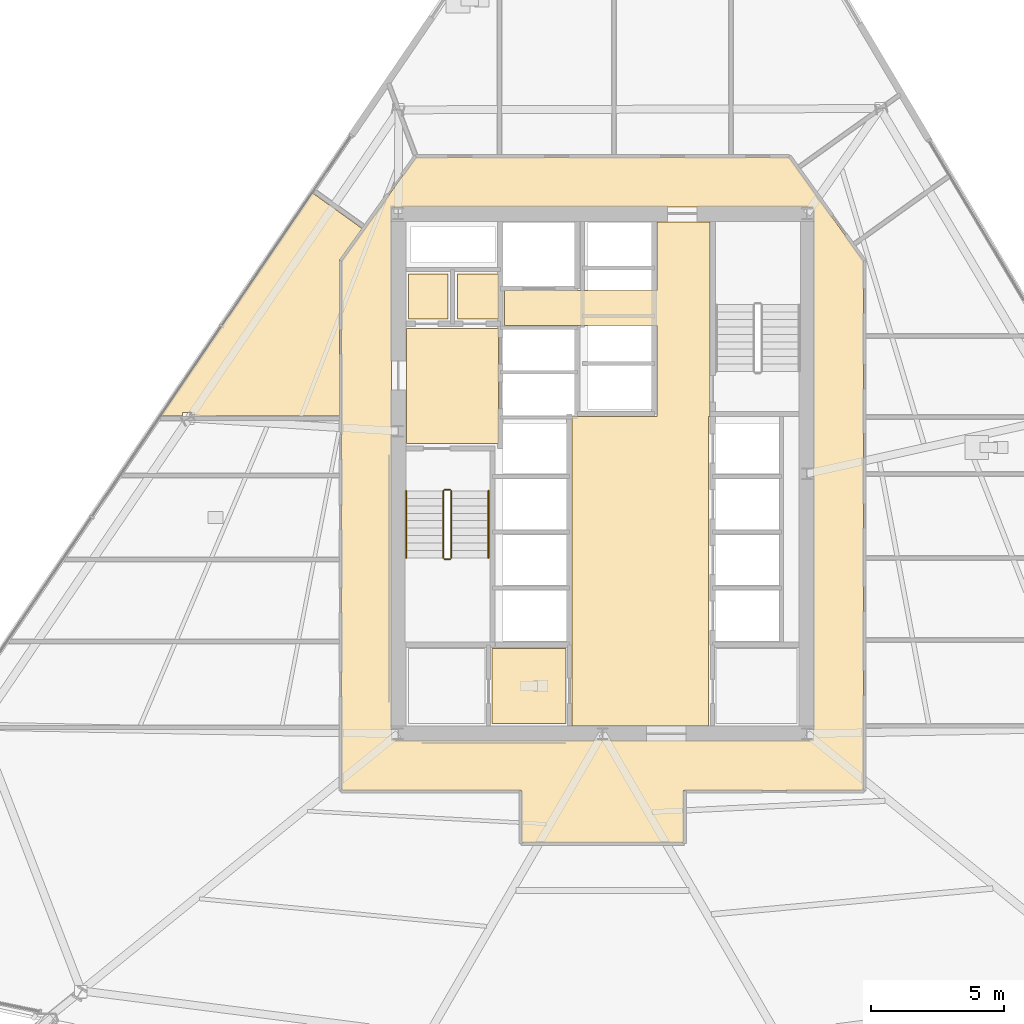
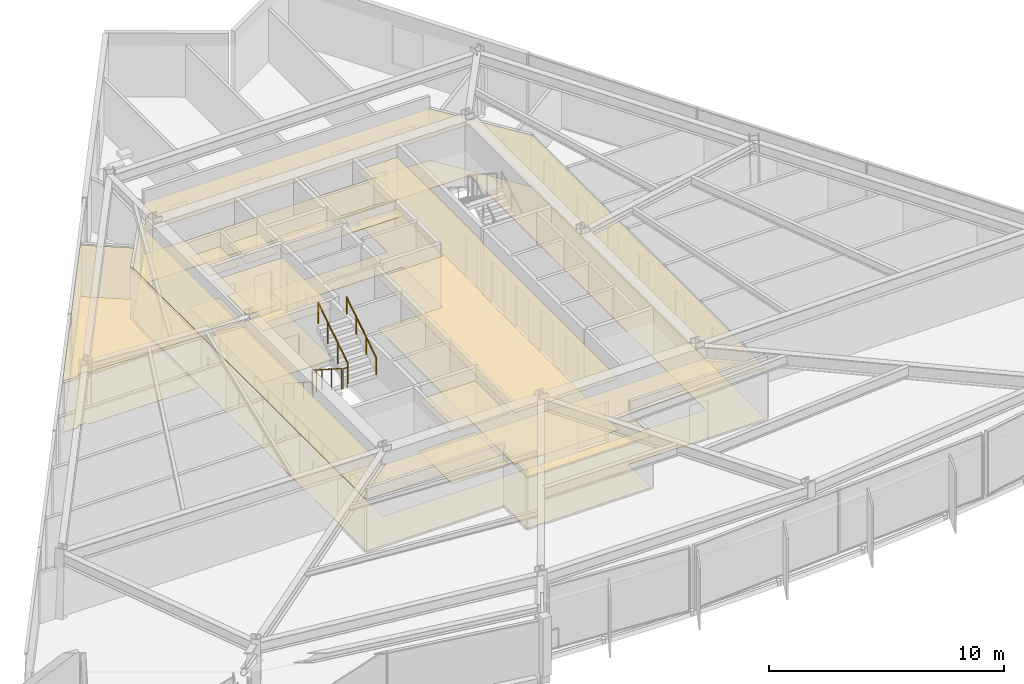
# One storey, part 14 of 17: 14 coverings, 6 railings.
"""IFC4 building model written with IfcOpenShell, lengths in metres."""

from ifc_helpers import new_model, si_unit, direction, frame, origin, origin_2d, place, context, subcontext, project, spatial, polyline, circle, outline, extrude, material, layer, layer_set, type_object, element, save


model = new_model("IFC4")

# Units and contexts
model_context = context("Model", 3, precision=1e-05, world=origin(), true_north=direction((0.0, 1.0)))
body_context = subcontext(model_context, "Body", "Model", "MODEL_VIEW")
ifc_project = project(units=[si_unit("LENGTHUNIT", "METRE"), si_unit("AREAUNIT", "SQUARE_METRE"), si_unit("VOLUMEUNIT", "CUBIC_METRE"), si_unit("PLANEANGLEUNIT", "RADIAN"), si_unit("MASSUNIT", "GRAM", prefix="KILO")], contexts=[model_context])

# Site, building, storey
site_placement = place(None, origin())
site = spatial("IfcSite", under=ifc_project, at=site_placement, CompositionType="ELEMENT")
building_placement = place(site_placement, origin())
building = spatial("IfcBuilding", under=site, at=building_placement, Name="Savorim Split Tower", CompositionType="ELEMENT")
storey_placement = place(building_placement, frame((0.0, 0.0, 58.800048828125)))
storey = spatial("IfcBuildingStorey", under=building, at=storey_placement, Name="L15", CompositionType="ELEMENT", Elevation=58.800048828125)

# Coverings
ifc_material_1 = material(Name="Mineral Fibre Acoustic Ceiling")
ifc_layer_1 = layer(ifc_material_1, 0.02490234375)
ifc_layer_set_1 = layer_set([ifc_layer_1], Name="COV-CEIL-25")
covering_type_1 = type_object("IfcCoveringType", Name="COV-CEIL-25", PredefinedType="CEILING", material=ifc_layer_set_1)
covering_1_placement = place(storey_placement, frame((0.0, 0.0, 2.669921875)))
element("IfcCovering", 1, at=covering_1_placement, inside=storey, type_object=covering_type_1, Name="L15 Firefighting Lift Lobby Acoustic Ceiling", PredefinedType="CEILING", context=body_context, shape_type="SweptSolid", body=[
    extrude(outline(polyline([(-7.3798828125, 5.8701171875), (-7.3798828125, 1.530029296875), (-3.929931640625, 1.530029296875), (-3.929931640625, 5.8701171875), (-7.3798828125, 5.8701171875)])), origin(), (0.0, 0.0, 1.0), 0.025146484375),
])
covering_2_placement = place(storey_placement, frame((0.0, 0.0, 2.669921875)))
element("IfcCovering", 2, at=covering_2_placement, inside=storey, type_object=covering_type_1, Name="L15 Electrical Riser Acoustic Ceiling", PredefinedType="CEILING", context=body_context, shape_type="SweptSolid", body=[
    extrude(outline(polyline([(-7.320068359375, 7.919921875), (-7.320068359375, 6.22998046875), (-5.830078125, 6.22998046875), (-5.830078125, 7.919921875), (-7.320068359375, 7.919921875)])), origin(), (0.0, 0.0, 1.0), 0.025146484375),
])
covering_3_placement = place(storey_placement, frame((0.0, 0.0, 2.669921875)))
element("IfcCovering", 3, at=covering_3_placement, inside=storey, type_object=covering_type_1, Name="L15 Telecom Riser Acoustic Ceiling", PredefinedType="CEILING", context=body_context, shape_type="SweptSolid", body=[
    extrude(outline(polyline([(-5.469970703125, 7.919921875), (-5.469970703125, 6.22998046875), (-3.929931640625, 6.22998046875), (-3.929931640625, 7.919921875), (-5.469970703125, 7.919921875)])), origin(), (0.0, 0.0, 1.0), 0.025146484375),
])
covering_4_placement = place(storey_placement, frame((0.0, 0.0, 2.669921875)))
element("IfcCovering", 4, at=covering_4_placement, inside=storey, type_object=covering_type_1, Name="L15 Lift Lobby Acoustic Ceiling", PredefinedType="CEILING", context=body_context, shape_type="SweptSolid", body=[
    extrude(outline(polyline([(2.050048828125, 2.550048828125), (-1.14990234375, 2.550048828125), (-1.14990234375, -9.10009765625), (4.0, -9.10009765625), (4.0, 2.550048828125), (4.050048828125, 2.550048828125), (4.050048828125, 5.97998046875), (4.050048828125, 7.300048828125), (4.050048828125, 9.8798828125), (2.050048828125, 9.8798828125), (2.050048828125, 7.300048828125), (-3.699951171875, 7.300048828125), (-3.699951171875, 5.97998046875), (2.050048828125, 5.97998046875), (2.050048828125, 2.550048828125)])), origin(), (0.0, 0.0, 1.0), 0.025146484375),
])
covering_5_placement = place(storey_placement, frame((0.0, 0.0, 2.669921875)))
element("IfcCovering", 5, at=covering_5_placement, inside=storey, type_object=covering_type_1, Name="L15 Accessible WC Acoustic Ceiling", PredefinedType="CEILING", context=body_context, shape_type="SweptSolid", body=[
    extrude(outline(polyline([(-4.169921875, -6.179931640625), (-4.169921875, -9.02001953125), (-1.3798828125, -9.02001953125), (-1.3798828125, -6.179931640625), (-4.169921875, -6.179931640625)])), origin(), (0.0, 0.0, 1.0), 0.025146484375),
])
covering_6_placement = place(storey_placement, frame((0.0, 0.0, 2.669921875)))
element("IfcCovering", 6, at=covering_6_placement, inside=storey, type_object=covering_type_1, Name="L15 Corridor Acoustic Ceiling", PredefinedType="CEILING", context=body_context, shape_type="SweptSolid", body=[
    extrude(outline(polyline([(7.009521484375, 12.3291015625), (7.004638671875, 12.329833984375), (7.0, 12.330078125), (-7.0, 12.330078125), (-7.004638671875, 12.329833984375), (-7.009521484375, 12.3291015625), (-7.013916015625, 12.327880859375), (-7.0185546875, 12.326416015625), (-7.022705078125, 12.324462890625), (-7.027099609375, 12.322021484375), (-7.03076171875, 12.3193359375), (-7.034423828125, 12.31640625), (-7.03759765625, 12.312744140625), (-7.04052734375, 12.30908203125), (-9.820556640625, 8.42919921875), (-9.823486328125, 8.4248046875), (-9.82568359375, 8.420166015625), (-9.82763671875, 8.415283203125), (-9.828857421875, 8.410400390625), (-9.82958984375, 8.4052734375), (-9.830078125, 8.39990234375), (-9.830078125, -11.47998046875), (-9.829833984375, -11.48486328125), (-9.8291015625, -11.48974609375), (-9.827880859375, -11.494384765625), (-9.826171875, -11.4990234375), (-9.82421875, -11.503662109375), (-9.821533203125, -11.5078125), (-9.818603515625, -11.51171875), (-9.8154296875, -11.515380859375), (-9.811767578125, -11.518798828125), (-9.807861328125, -11.521484375), (-9.8037109375, -11.524169921875), (-9.799072265625, -11.526123046875), (-9.79443359375, -11.52783203125), (-9.789794921875, -11.529052734375), (-9.784912109375, -11.52978515625), (-9.780029296875, -11.530029296875), (-3.050048828125, -11.530029296875), (-3.050048828125, -13.449951171875), (-3.0498046875, -13.454833984375), (-3.049072265625, -13.459716796875), (-3.0478515625, -13.464599609375), (-3.046142578125, -13.468994140625), (-3.044189453125, -13.4736328125), (-3.04150390625, -13.477783203125), (-3.038818359375, -13.481689453125), (-3.035400390625, -13.4853515625), (-3.03173828125, -13.48876953125), (-3.02783203125, -13.49169921875), (-3.023681640625, -13.494140625), (-3.01904296875, -13.49609375), (-3.014404296875, -13.497802734375), (-3.009765625, -13.4990234375), (-3.0048828125, -13.499755859375), (-3.0, -13.5), (3.0, -13.5), (3.0048828125, -13.499755859375), (3.009765625, -13.4990234375), (3.014404296875, -13.497802734375), (3.01904296875, -13.49609375), (3.023681640625, -13.494140625), (3.02783203125, -13.49169921875), (3.03173828125, -13.48876953125), (3.035400390625, -13.4853515625), (3.038818359375, -13.481689453125), (3.04150390625, -13.477783203125), (3.044189453125, -13.4736328125), (3.046142578125, -13.468994140625), (3.0478515625, -13.464599609375), (3.049072265625, -13.459716796875), (3.0498046875, -13.454833984375), (3.050048828125, -13.449951171875), (3.050048828125, -11.530029296875), (9.780029296875, -11.530029296875), (9.784912109375, -11.52978515625), (9.789794921875, -11.529052734375), (9.79443359375, -11.52783203125), (9.799072265625, -11.526123046875), (9.8037109375, -11.524169921875), (9.807861328125, -11.521484375), (9.811767578125, -11.518798828125), (9.8154296875, -11.515380859375), (9.818603515625, -11.51171875), (9.821533203125, -11.5078125), (9.82421875, -11.503662109375), (9.826171875, -11.4990234375), (9.827880859375, -11.494384765625), (9.8291015625, -11.48974609375), (9.829833984375, -11.48486328125), (9.830078125, -11.47998046875), (9.830078125, 8.39990234375), (9.82958984375, 8.4052734375), (9.828857421875, 8.410400390625), (9.82763671875, 8.415283203125), (9.82568359375, 8.420166015625), (9.823486328125, 8.4248046875), (9.820556640625, 8.42919921875), (7.04052734375, 12.30908203125), (7.03759765625, 12.312744140625), (7.034423828125, 12.31640625), (7.03076171875, 12.3193359375), (7.027099609375, 12.322021484375), (7.022705078125, 12.324462890625), (7.0185546875, 12.326416015625), (7.013916015625, 12.327880859375), (7.009521484375, 12.3291015625)]), holes=[polyline([(-7.949951171875, 10.449951171875), (-7.949951171875, -9.64990234375), (7.949951171875, -9.64990234375), (7.949951171875, 10.449951171875), (-7.949951171875, 10.449951171875)])]), origin(), (0.0, 0.0, 1.0), 0.025146484375),
])
covering_7_placement = place(storey_placement, frame((0.0, 0.0, 2.669921875)))
element("IfcCovering", 7, at=covering_7_placement, inside=storey, type_object=covering_type_1, Name="L15 Maker Workshop Acoustic Ceiling", PredefinedType="CEILING", context=body_context, shape_type="SweptSolid", body=[
    extrude(outline(polyline([(-9.908203125, 8.456298828125), (-9.901611328125, 8.46923828125), (-9.893798828125, 8.4814453125), (-9.06298828125, 9.64111328125), (-10.934326171875, 10.982177734375), (-16.65380859375, 2.574951171875), (-15.822265625, 2.574951171875), (-15.822265625, 2.70751953125), (-15.390380859375, 2.70751953125), (-15.390380859375, 2.574951171875), (-9.919921875, 2.574951171875), (-9.919921875, 8.39990234375), (-9.919189453125, 8.41455078125), (-9.9169921875, 8.4287109375), (-9.913330078125, 8.44287109375), (-9.908203125, 8.456298828125)])), origin(), (0.0, 0.0, 1.0), 0.025146484375),
])
ifc_material_2 = material(Name="Porcelain Stoneware Flooring", Category="masonry")
ifc_layer_2 = layer(ifc_material_2, 0.02001953125)
ifc_layer_set_2 = layer_set([ifc_layer_2], Name="COV-FLOR-20")
covering_type_2 = type_object("IfcCoveringType", Name="COV-FLOR-20", PredefinedType="FLOORING", material=ifc_layer_set_2)
covering_8_placement = place(storey_placement, origin())
element("IfcCovering", 8, at=covering_8_placement, inside=storey, type_object=covering_type_2, Name="L15 Firefighting Lift Lobby Porcelain Flooring", PredefinedType="FLOORING", context=body_context, shape_type="SweptSolid", body=[
    extrude(outline(polyline([(-7.3798828125, 5.8701171875), (-7.3798828125, 1.530029296875), (-3.929931640625, 1.530029296875), (-3.929931640625, 5.8701171875), (-7.3798828125, 5.8701171875)])), origin(), (0.0, 0.0, 1.0), 0.02001953125),
])
covering_9_placement = place(storey_placement, origin())
element("IfcCovering", 9, at=covering_9_placement, inside=storey, type_object=covering_type_2, Name="L15 Electrical Riser Porcelain Flooring", PredefinedType="FLOORING", context=body_context, shape_type="SweptSolid", body=[
    extrude(outline(polyline([(-7.320068359375, 7.919921875), (-7.320068359375, 6.22998046875), (-5.830078125, 6.22998046875), (-5.830078125, 7.919921875), (-7.320068359375, 7.919921875)])), origin(), (0.0, 0.0, 1.0), 0.02001953125),
])
covering_10_placement = place(storey_placement, origin())
element("IfcCovering", 10, at=covering_10_placement, inside=storey, type_object=covering_type_2, Name="L15 Telecom Riser Porcelain Flooring", PredefinedType="FLOORING", context=body_context, shape_type="SweptSolid", body=[
    extrude(outline(polyline([(-5.469970703125, 7.919921875), (-5.469970703125, 6.22998046875), (-3.929931640625, 6.22998046875), (-3.929931640625, 7.919921875), (-5.469970703125, 7.919921875)])), origin(), (0.0, 0.0, 1.0), 0.02001953125),
])
covering_11_placement = place(storey_placement, origin())
element("IfcCovering", 11, at=covering_11_placement, inside=storey, type_object=covering_type_2, Name="L15 Lift Lobby Porcelain Flooring", PredefinedType="FLOORING", context=body_context, shape_type="SweptSolid", body=[
    extrude(outline(polyline([(2.050048828125, 2.550048828125), (-1.14990234375, 2.550048828125), (-1.14990234375, -9.10009765625), (4.0, -9.10009765625), (4.0, 2.550048828125), (4.050048828125, 2.550048828125), (4.050048828125, 5.97998046875), (4.050048828125, 7.300048828125), (4.050048828125, 9.8798828125), (2.050048828125, 9.8798828125), (2.050048828125, 7.300048828125), (-3.699951171875, 7.300048828125), (-3.699951171875, 5.97998046875), (2.050048828125, 5.97998046875), (2.050048828125, 2.550048828125)])), origin(), (0.0, 0.0, 1.0), 0.02001953125),
])
covering_12_placement = place(storey_placement, origin())
element("IfcCovering", 12, at=covering_12_placement, inside=storey, type_object=covering_type_2, Name="L15 Accessible WC Porcelain Flooring", PredefinedType="FLOORING", context=body_context, shape_type="SweptSolid", body=[
    extrude(outline(polyline([(-4.169921875, -6.179931640625), (-4.169921875, -9.02001953125), (-1.3798828125, -9.02001953125), (-1.3798828125, -6.179931640625), (-4.169921875, -6.179931640625)])), origin(), (0.0, 0.0, 1.0), 0.02001953125),
])
covering_13_placement = place(storey_placement, origin())
element("IfcCovering", 13, at=covering_13_placement, inside=storey, type_object=covering_type_2, Name="L15 Corridor Porcelain Flooring", PredefinedType="FLOORING", context=body_context, shape_type="SweptSolid", body=[
    extrude(outline(polyline([(7.009521484375, 12.3291015625), (7.004638671875, 12.329833984375), (7.0, 12.330078125), (-7.0, 12.330078125), (-7.004638671875, 12.329833984375), (-7.009521484375, 12.3291015625), (-7.013916015625, 12.327880859375), (-7.0185546875, 12.326416015625), (-7.022705078125, 12.324462890625), (-7.027099609375, 12.322021484375), (-7.03076171875, 12.3193359375), (-7.034423828125, 12.31640625), (-7.03759765625, 12.312744140625), (-7.04052734375, 12.30908203125), (-9.820556640625, 8.42919921875), (-9.823486328125, 8.4248046875), (-9.82568359375, 8.420166015625), (-9.82763671875, 8.415283203125), (-9.828857421875, 8.410400390625), (-9.82958984375, 8.4052734375), (-9.830078125, 8.39990234375), (-9.830078125, -11.47998046875), (-9.829833984375, -11.48486328125), (-9.8291015625, -11.48974609375), (-9.827880859375, -11.494384765625), (-9.826171875, -11.4990234375), (-9.82421875, -11.503662109375), (-9.821533203125, -11.5078125), (-9.818603515625, -11.51171875), (-9.8154296875, -11.515380859375), (-9.811767578125, -11.518798828125), (-9.807861328125, -11.521484375), (-9.8037109375, -11.524169921875), (-9.799072265625, -11.526123046875), (-9.79443359375, -11.52783203125), (-9.789794921875, -11.529052734375), (-9.784912109375, -11.52978515625), (-9.780029296875, -11.530029296875), (-3.050048828125, -11.530029296875), (-3.050048828125, -13.449951171875), (-3.0498046875, -13.454833984375), (-3.049072265625, -13.459716796875), (-3.0478515625, -13.464599609375), (-3.046142578125, -13.468994140625), (-3.044189453125, -13.4736328125), (-3.04150390625, -13.477783203125), (-3.038818359375, -13.481689453125), (-3.035400390625, -13.4853515625), (-3.03173828125, -13.48876953125), (-3.02783203125, -13.49169921875), (-3.023681640625, -13.494140625), (-3.01904296875, -13.49609375), (-3.014404296875, -13.497802734375), (-3.009765625, -13.4990234375), (-3.0048828125, -13.499755859375), (-3.0, -13.5), (3.0, -13.5), (3.0048828125, -13.499755859375), (3.009765625, -13.4990234375), (3.014404296875, -13.497802734375), (3.01904296875, -13.49609375), (3.023681640625, -13.494140625), (3.02783203125, -13.49169921875), (3.03173828125, -13.48876953125), (3.035400390625, -13.4853515625), (3.038818359375, -13.481689453125), (3.04150390625, -13.477783203125), (3.044189453125, -13.4736328125), (3.046142578125, -13.468994140625), (3.0478515625, -13.464599609375), (3.049072265625, -13.459716796875), (3.0498046875, -13.454833984375), (3.050048828125, -13.449951171875), (3.050048828125, -11.530029296875), (9.780029296875, -11.530029296875), (9.784912109375, -11.52978515625), (9.789794921875, -11.529052734375), (9.79443359375, -11.52783203125), (9.799072265625, -11.526123046875), (9.8037109375, -11.524169921875), (9.807861328125, -11.521484375), (9.811767578125, -11.518798828125), (9.8154296875, -11.515380859375), (9.818603515625, -11.51171875), (9.821533203125, -11.5078125), (9.82421875, -11.503662109375), (9.826171875, -11.4990234375), (9.827880859375, -11.494384765625), (9.8291015625, -11.48974609375), (9.829833984375, -11.48486328125), (9.830078125, -11.47998046875), (9.830078125, 8.39990234375), (9.82958984375, 8.4052734375), (9.828857421875, 8.410400390625), (9.82763671875, 8.415283203125), (9.82568359375, 8.420166015625), (9.823486328125, 8.4248046875), (9.820556640625, 8.42919921875), (7.04052734375, 12.30908203125), (7.03759765625, 12.312744140625), (7.034423828125, 12.31640625), (7.03076171875, 12.3193359375), (7.027099609375, 12.322021484375), (7.022705078125, 12.324462890625), (7.0185546875, 12.326416015625), (7.013916015625, 12.327880859375), (7.009521484375, 12.3291015625)]), holes=[polyline([(-7.949951171875, 10.449951171875), (-7.949951171875, -9.64990234375), (7.949951171875, -9.64990234375), (7.949951171875, 10.449951171875), (-7.949951171875, 10.449951171875)])]), origin(), (0.0, 0.0, 1.0), 0.02001953125),
])
covering_14_placement = place(storey_placement, origin())
element("IfcCovering", 14, at=covering_14_placement, inside=storey, type_object=covering_type_2, Name="L15 Maker Workshop Porcelain Flooring", PredefinedType="FLOORING", context=body_context, shape_type="SweptSolid", body=[
    extrude(outline(polyline([(-9.908203125, 8.456298828125), (-9.901611328125, 8.46923828125), (-9.893798828125, 8.4814453125), (-9.06298828125, 9.64111328125), (-10.934326171875, 10.982177734375), (-16.65380859375, 2.574951171875), (-15.822265625, 2.574951171875), (-15.822265625, 2.70751953125), (-15.390380859375, 2.70751953125), (-15.390380859375, 2.574951171875), (-9.919921875, 2.574951171875), (-9.919921875, 8.39990234375), (-9.919189453125, 8.41455078125), (-9.9169921875, 8.4287109375), (-9.913330078125, 8.44287109375), (-9.908203125, 8.456298828125)])), origin(), (0.0, 0.0, 1.0), 0.02001953125),
])

# Railings
ifc_material_3 = material(Name="Galvanised Painted Steel Balustrade", Category="steel")
railing_type_1 = type_object("IfcRailingType", Name="RLG-HR-900", PredefinedType="HANDRAIL", material=ifc_material_3)
railing_1_placement = place(storey_placement, frame((-7.39990234375, -0.25, 0.179931640625)))
element("IfcRailing", 15, at=railing_1_placement, inside=storey, type_object=railing_type_1, Name="L15 ST-1 stair handrail 1", PredefinedType="HANDRAIL", context=body_context, shape_type="SweptSolid", body=[
    extrude(circle(Radius=0.02392578125, at=origin_2d()), frame((0.0, 0.0, 0.8759765625), z_axis=(0.0, -0.841162588446, 0.540782303519), x_axis=(1.0, 0.0, 0.0)), (0.0, 0.0, 1.0), 2.995849609375),
    extrude(circle(Radius=0.02099609375, at=origin_2d()), origin(), (0.0, 0.0, 1.0), 0.851806640625),
    extrude(circle(Radius=0.02099609375, at=origin_2d()), frame((0.0, -0.840087890625, 0.5400390625)), (0.0, 0.0, 1.0), 0.851806640625),
    extrude(circle(Radius=0.02099609375, at=origin_2d()), frame((0.0, -1.679931640625, 1.080078125)), (0.0, 0.0, 1.0), 0.851806640625),
    extrude(circle(Radius=0.02099609375, at=origin_2d()), frame((0.0, -2.52001953125, 1.6201171875)), (0.0, 0.0, 1.0), 0.851806640625),
])
railing_2_placement = place(storey_placement, frame((-4.300048828125, -2.77001953125, 1.97998046875)))
element("IfcRailing", 16, at=railing_2_placement, inside=storey, type_object=railing_type_1, Name="L15 ST-1 stair handrail 2", PredefinedType="HANDRAIL", context=body_context, shape_type="SweptSolid", body=[
    extrude(circle(Radius=0.02392578125, at=origin_2d()), frame((0.0, 0.0, 0.8759765625), z_axis=(0.0, 0.841199657755, 0.540724639528), x_axis=(-1.0, 0.0, 0.0)), (0.0, 0.0, 1.0), 2.995849609375),
    extrude(circle(Radius=0.02099609375, at=origin_2d()), origin(), (0.0, 0.0, 1.0), 0.851806640625),
    extrude(circle(Radius=0.02099609375, at=origin_2d()), frame((0.0, 0.840087890625, 0.5400390625)), (0.0, 0.0, 1.0), 0.851806640625),
    extrude(circle(Radius=0.02099609375, at=origin_2d()), frame((0.0, 1.679931640625, 1.079833984375)), (0.0, 0.0, 1.0), 0.851806640625),
    extrude(circle(Radius=0.02099609375, at=origin_2d()), frame((0.0, 2.52001953125, 1.619873046875)), (0.0, 0.0, 1.0), 0.851806640625),
])
railing_type_2 = type_object("IfcRailingType", Name="RLG-STG-1100", PredefinedType="BALUSTRADE", material=ifc_material_3)
railing_3_placement = place(storey_placement, frame((-6.0, -0.25, 0.179931640625)))
element("IfcRailing", 17, at=railing_3_placement, inside=storey, type_object=railing_type_2, Name="L15 ST-1 stair guard 1", PredefinedType="BALUSTRADE", context=body_context, shape_type="SweptSolid", body=[
    extrude(circle(Radius=0.02392578125, at=origin_2d()), frame((0.0, 0.0, 1.076171875), z_axis=(0.0, -0.841162588446, 0.540782303519), x_axis=(1.0, 0.0, 0.0)), (0.0, 0.0, 1.0), 2.995849609375),
    extrude(circle(Radius=0.02099609375, at=origin_2d()), origin(), (0.0, 0.0, 1.0), 1.052001953125),
    extrude(circle(Radius=0.02099609375, at=origin_2d()), frame((0.0, -0.840087890625, 0.5400390625)), (0.0, 0.0, 1.0), 1.052001953125),
    extrude(circle(Radius=0.02099609375, at=origin_2d()), frame((0.0, -1.679931640625, 1.080078125)), (0.0, 0.0, 1.0), 1.052001953125),
    extrude(circle(Radius=0.02099609375, at=origin_2d()), frame((0.0, -2.52001953125, 1.6201171875)), (0.0, 0.0, 1.0), 1.052001953125),
])
railing_4_placement = place(storey_placement, frame((-5.949951171875, -2.820068359375, 1.800048828125)))
element("IfcRailing", 18, at=railing_4_placement, inside=storey, type_object=railing_type_2, Name="L15 ST-1 stair guard 2", PredefinedType="BALUSTRADE", context=body_context, shape_type="SweptSolid", body=[
    extrude(circle(Radius=0.02392578125, at=origin_2d()), frame((0.0, 0.0, 1.076171875), z_axis=(1.0, 0.0, 0.0), x_axis=(0.0, 1.0, 0.0)), (0.0, 0.0, 1.0), 0.199951171875),
    extrude(circle(Radius=0.02099609375, at=origin_2d()), origin(), (0.0, 0.0, 1.0), 1.052001953125),
    extrude(circle(Radius=0.02099609375, at=origin_2d()), frame((0.199951171875, 0.0, 0.0)), (0.0, 0.0, 1.0), 1.052001953125),
])
railing_5_placement = place(storey_placement, frame((-5.699951171875, -2.77001953125, 1.97998046875)))
element("IfcRailing", 19, at=railing_5_placement, inside=storey, type_object=railing_type_2, Name="L15 ST-1 stair guard 3", PredefinedType="BALUSTRADE", context=body_context, shape_type="SweptSolid", body=[
    extrude(circle(Radius=0.02392578125, at=origin_2d()), frame((0.0, 0.0, 1.076171875), z_axis=(0.0, 0.841199657755, 0.540724639528), x_axis=(-1.0, 0.0, 0.0)), (0.0, 0.0, 1.0), 2.995849609375),
    extrude(circle(Radius=0.02099609375, at=origin_2d()), origin(), (0.0, 0.0, 1.0), 1.052001953125),
    extrude(circle(Radius=0.02099609375, at=origin_2d()), frame((0.0, 0.840087890625, 0.5400390625)), (0.0, 0.0, 1.0), 1.052001953125),
    extrude(circle(Radius=0.02099609375, at=origin_2d()), frame((0.0, 1.679931640625, 1.079833984375)), (0.0, 0.0, 1.0), 1.052001953125),
    extrude(circle(Radius=0.02099609375, at=origin_2d()), frame((0.0, 2.52001953125, 1.619873046875)), (0.0, 0.0, 1.0), 1.052001953125),
])
railing_6_placement = place(storey_placement, frame((-5.949951171875, -0.199951171875, 0.0)))
element("IfcRailing", 20, at=railing_6_placement, inside=storey, type_object=railing_type_2, Name="L15 ST-1 stair guard 4", PredefinedType="BALUSTRADE", context=body_context, shape_type="SweptSolid", body=[
    extrude(circle(Radius=0.02392578125, at=origin_2d()), frame((0.0, 0.0, 1.076171875), z_axis=(1.0, 0.0, 0.0), x_axis=(0.0, 1.0, 0.0)), (0.0, 0.0, 1.0), 0.199951171875),
    extrude(circle(Radius=0.02099609375, at=origin_2d()), origin(), (0.0, 0.0, 1.0), 1.052001953125),
    extrude(circle(Radius=0.02099609375, at=origin_2d()), frame((0.199951171875, 0.0, 0.0)), (0.0, 0.0, 1.0), 1.052001953125),
])

save(model, "model.ifc")
